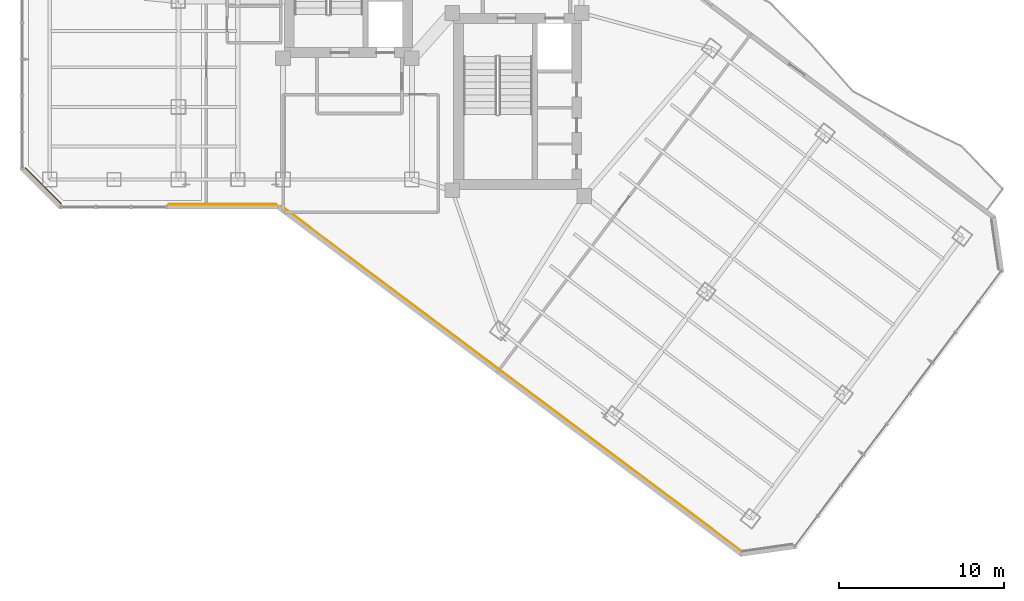
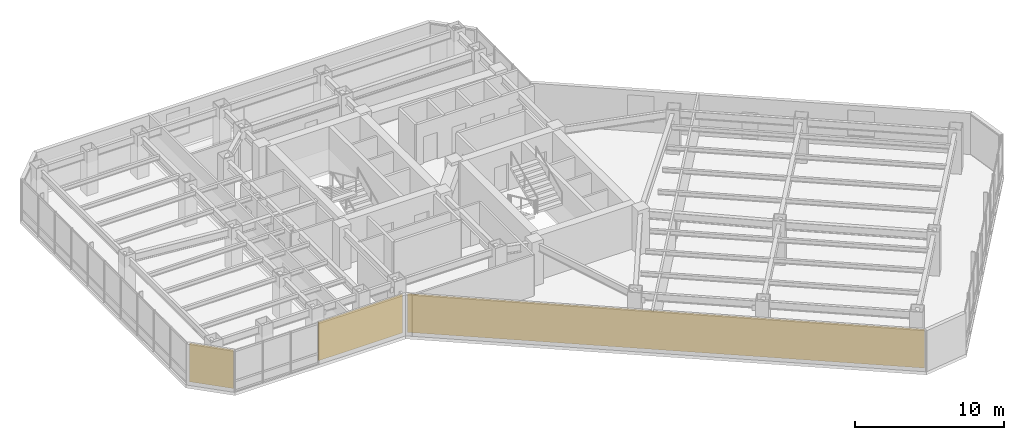
# One storey, part 25 of 29: 3 coverings.
"""IFC4 building model written with IfcOpenShell, lengths in metres."""

from ifc_helpers import new_model, si_unit, direction, frame, origin, origin_2d, place, context, subcontext, project, spatial, rectangle, extrude, material, layer, layer_set, type_object, element, save


model = new_model("IFC4")

# Units and contexts
model_context = context("Model", 3, precision=1e-05, world=origin(), true_north=direction((0.0, 1.0)))
body_context = subcontext(model_context, "Body", "Model", "MODEL_VIEW")
ifc_project = project(units=[si_unit("LENGTHUNIT", "METRE"), si_unit("AREAUNIT", "SQUARE_METRE"), si_unit("VOLUMEUNIT", "CUBIC_METRE"), si_unit("PLANEANGLEUNIT", "RADIAN"), si_unit("MASSUNIT", "GRAM", prefix="KILO")], contexts=[model_context])

# Site, building, storey
site_placement = place(None, origin())
site = spatial("IfcSite", under=ifc_project, at=site_placement, CompositionType="ELEMENT")
building_placement = place(site_placement, origin())
building = spatial("IfcBuilding", under=site, at=building_placement, Name="Hatsunagi Terrace Concourse", CompositionType="ELEMENT")
storey_placement = place(building_placement, frame((0.0, 0.0, 104.85009765625)))
storey = spatial("IfcBuildingStorey", under=building, at=storey_placement, Name="L27", CompositionType="ELEMENT", Elevation=104.85009765625)

# Coverings
ifc_material = material(Name="Unglazed Warm Terracotta Rainscreen Tile", Category="masonry")
ifc_layer = layer(ifc_material, 0.044921875)
ifc_layer_set = layer_set([ifc_layer], Name="TerracottaRainscreenCladding_45")
covering_type = type_object("IfcCoveringType", Name="TerracottaRainscreenCladding_45", PredefinedType="CLADDING", material=ifc_layer_set)
covering_1_placement = place(storey_placement, frame((39.3798828125, 13.14306640625, 0.099853515625), z_axis=(0.0, 0.0, 1.0), x_axis=(-0.800003116929, 0.599995844072, 0.0)))
element("IfcCovering", 1, at=covering_1_placement, inside=storey, type_object=covering_type, Name="Terracotta Rainscreen Cladding L27-05", PredefinedType="CLADDING", context=body_context, shape_type="SweptSolid", body=[
    extrude(rectangle(XDim=34.84912109375, YDim=0.044921875, at=origin_2d()), origin(), (0.0, 0.0, 1.0), 3.14990234375),
])
covering_2_placement = place(storey_placement, frame((21.873046875, 23.701904296875, 0.099853515625), z_axis=(0.0, 0.0, 1.0), x_axis=(-1.0, 0.0, 0.0)))
element("IfcCovering", 2, at=covering_2_placement, inside=storey, type_object=covering_type, Name="Terracotta Rainscreen Cladding L27-06", PredefinedType="CLADDING", context=body_context, shape_type="SweptSolid", body=[
    extrude(rectangle(XDim=6.507080078125, YDim=0.044921875, at=origin_2d()), origin(), (0.0, 0.0, 1.0), 3.14990234375),
])
covering_3_placement = place(storey_placement, frame((11.013916015625, 24.81396484375, 0.099853515625), z_axis=(0.0, 0.0, 1.0), x_axis=(-0.707106781187, 0.707106781187, 0.0)))
element("IfcCovering", 3, at=covering_3_placement, inside=storey, type_object=covering_type, Name="Terracotta Rainscreen Cladding L27-08", PredefinedType="CLADDING", context=body_context, shape_type="SweptSolid", body=[
    extrude(rectangle(XDim=3.0380859375, YDim=0.044921875, at=origin_2d()), origin(), (0.0, 0.0, 1.0), 3.14990234375),
])

save(model, "model.ifc")
